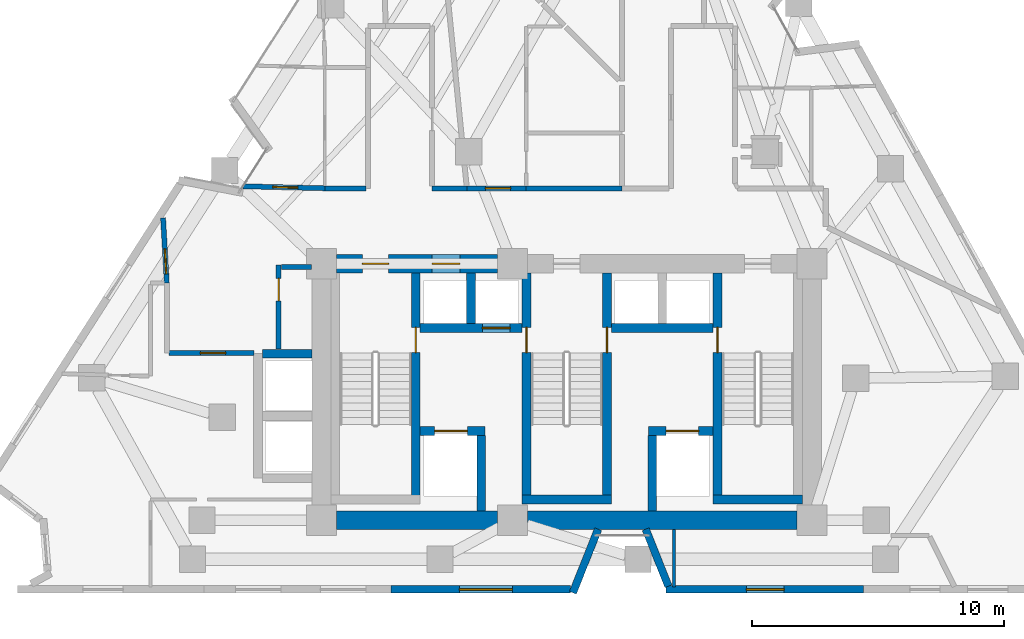
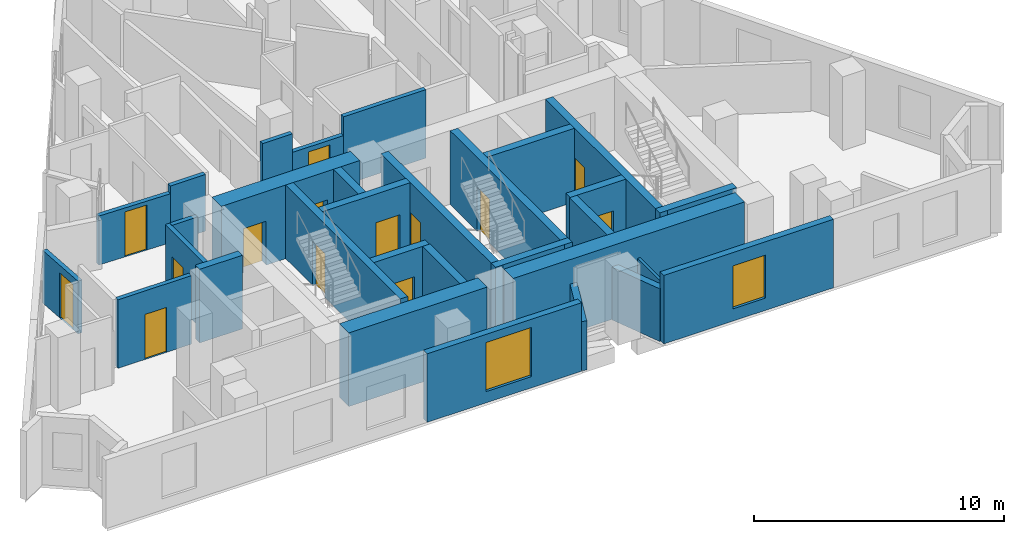
# One storey, part 6 of 11: 31 walls, 14 doors, 2 windows, 16 openings.
"""IFC4 building model written with IfcOpenShell, lengths in metres."""

from ifc_helpers import new_model, si_unit, direction, frame, frame_2d, origin, place, context, subcontext, project, spatial, rectangle, extrude, material, layer, layer_set, type_object, element, fill, save


model = new_model("IFC4")

# Units and contexts
model_context = context("Model", 3, precision=1e-05, world=origin(), true_north=direction((0.0, 1.0)))
body_context = subcontext(model_context, "Body", "Model", "MODEL_VIEW")
ifc_project = project(units=[si_unit("LENGTHUNIT", "METRE"), si_unit("AREAUNIT", "SQUARE_METRE"), si_unit("VOLUMEUNIT", "CUBIC_METRE"), si_unit("PLANEANGLEUNIT", "RADIAN"), si_unit("MASSUNIT", "GRAM", prefix="KILO")], contexts=[model_context])

# Site, building, storey
site_placement = place(None, origin())
site = spatial("IfcSite", under=ifc_project, at=site_placement, CompositionType="ELEMENT")
building_placement = place(site_placement, origin())
building = spatial("IfcBuilding", under=site, at=building_placement, Name="Almagre Mirador Tower", CompositionType="ELEMENT")
storey_placement = place(building_placement, frame((0.0, 0.0, 168.0)))
storey = spatial("IfcBuildingStorey", under=building, at=storey_placement, Name="L43", CompositionType="ELEMENT", Elevation=168.0)

# Wall, opening, window
ifc_material_1 = material(Name="Precast concrete C50/60", Category="concrete")
ifc_layer_1 = layer(ifc_material_1, 0.300048828125)
ifc_layer_set_1 = layer_set([ifc_layer_1], Name="Precast concrete C50/60")
wall_type_1 = type_object("IfcWallType", Name="WAL-EXT-300", PredefinedType="SOLIDWALL", material=ifc_layer_set_1)
wall_1_placement = place(storey_placement, frame((49.097900390625, 1.800048828125, 0.0), z_axis=(0.0, 0.0, 1.0), x_axis=(-1.0, 0.0, 0.0)))
wall_1 = element("IfcWall", 1, at=wall_1_placement, inside=storey, type_object=wall_type_1, Name="L43 expressed almagre precast frame wall 21", PredefinedType="SOLIDWALL", context=body_context, shape_type="SweptSolid", body=[
    extrude(rectangle(XDim=7.841796875, YDim=0.300048828125, at=frame_2d((3.9208984375, 0.0))), origin(), (0.0, 0.0, 1.0), 3.35009765625),
])
opening_1_placement = place(wall_1_placement, frame((3.14990234375, 0.0, 0.60009765625)))
opening_1 = element("IfcOpeningElement", 2, at=opening_1_placement, cuts=wall_1, Name="Opening WN-03", PredefinedType="OPENING", context=body_context, shape_type="SweptSolid", body=[
    extrude(rectangle(XDim=1.5, YDim=2.10009765625, at=frame_2d((0.75, 1.050048828125))), frame((0.0, 0.159902, 0.0), z_axis=(0.0, -1.0, 0.0), x_axis=(1.0, 0.0, 0.0)), (0.0, 0.0, 1.0), 0.320049),
])
ifc_material_2 = material(Name="Dark solar-control laminated hurricane glass", Category="glass")
window_type_1 = type_object("IfcWindowType", Name="WIN-1500X2100", PartitioningType="DOUBLE_PANEL_VERTICAL", PredefinedType="WINDOW", material=ifc_material_2)
window_1_placement = place(opening_1_placement, origin())
window_1 = element("IfcWindow", 3, at=window_1_placement, inside=storey, type_object=window_type_1, Name="L43 recessed hurricane window L43-UB-KT", OverallHeight=2.10009765625, OverallWidth=1.5, PartitioningType="SINGLE_PANEL", PredefinedType="WINDOW", context=body_context, shape_type="SweptSolid", body=[
    extrude(rectangle(XDim=1.5, YDim=2.10009765625, at=frame_2d((0.75, 1.050048828125))), frame((0.0, 0.030029296875, 0.0), z_axis=(0.0, -1.0, 0.0), x_axis=(1.0, 0.0, 0.0)), (0.0, 0.0, 1.0), 0.06005859375),
])
fill(opening_1, window_1)

# Walls
wall_2_placement = place(storey_placement, frame((41.34423828125, 1.93017578125, 0.0), z_axis=(0.0, 0.0, 1.0), x_axis=(-0.369562555971, 0.929205852986, 0.0)))
element("IfcWall", 4, at=wall_2_placement, inside=storey, type_object=wall_type_1, Name="L43 expressed almagre precast frame wall 22", PredefinedType="SOLIDWALL", context=body_context, shape_type="SweptSolid", body=[
    extrude(rectangle(XDim=2.441650390625, YDim=0.300048828125, at=frame_2d((1.220703125, 0.0))), origin(), (0.0, 0.0, 1.0), 2.574951171875),
])
wall_3_placement = place(storey_placement, frame((38.550048828125, 4.198974609375, 0.0), z_axis=(0.0, 0.0, 1.0), x_axis=(-0.36956502288, -0.929204871847, 0.0)))
element("IfcWall", 5, at=wall_3_placement, inside=storey, type_object=wall_type_1, Name="L43 expressed almagre precast frame wall 23", PredefinedType="SOLIDWALL", context=body_context, shape_type="SweptSolid", body=[
    extrude(rectangle(XDim=2.7216796875, YDim=0.300048828125, at=frame_2d((1.36083984375, 0.0))), origin(), (0.0, 0.0, 1.0), 2.39794921875),
])

# Wall, opening, window
wall_4_placement = place(storey_placement, frame((37.4609375, 1.800048828125, 0.0), z_axis=(0.0, 0.0, 1.0), x_axis=(-1.0, 0.0, 0.0)))
wall_4 = element("IfcWall", 6, at=wall_4_placement, inside=storey, type_object=wall_type_1, Name="L43 expressed almagre precast frame wall 24", PredefinedType="SOLIDWALL", context=body_context, shape_type="SweptSolid", body=[
    extrude(rectangle(XDim=7.150146484375, YDim=0.300048828125, at=frame_2d((3.5751953125, 0.0))), origin(), (0.0, 0.0, 1.0), 3.35009765625),
])
opening_2_placement = place(wall_4_placement, frame((2.324951171875, 0.0, 0.550048828125)))
opening_2 = element("IfcOpeningElement", 7, at=opening_2_placement, cuts=wall_4, Name="Opening WN-05", PredefinedType="OPENING", context=body_context, shape_type="SweptSolid", body=[
    extrude(rectangle(XDim=2.10009765625, YDim=2.39990234375, at=frame_2d((1.050048828125, 1.199951171875))), frame((0.0, 0.159902, 0.0), z_axis=(0.0, -1.0, 0.0), x_axis=(1.0, 0.0, 0.0)), (0.0, 0.0, 1.0), 0.320049),
])
ifc_material_3 = material(Name="Dark solar-control laminated hurricane glass", Category="glass")
window_type_2 = type_object("IfcWindowType", Name="WIN-2100X2400", PartitioningType="DOUBLE_PANEL_VERTICAL", PredefinedType="WINDOW", material=ifc_material_3)
window_2_placement = place(opening_2_placement, origin())
window_2 = element("IfcWindow", 8, at=window_2_placement, inside=storey, type_object=window_type_2, Name="L43 recessed hurricane window L43-UB-ST", OverallHeight=2.39990234375, OverallWidth=2.10009765625, PartitioningType="SINGLE_PANEL", PredefinedType="WINDOW", context=body_context, shape_type="SweptSolid", body=[
    extrude(rectangle(XDim=2.10009765625, YDim=2.39990234375, at=frame_2d((1.050048828125, 1.199951171875))), frame((0.0, 0.030029296875, 0.0), z_axis=(0.0, -1.0, 0.0), x_axis=(1.0, 0.0, 0.0)), (0.0, 0.0, 1.0), 0.06005859375),
])
fill(opening_2, window_2)

# Wall
ifc_material_4 = material(Name="Gypsum acoustic stud partition", Category="other")
ifc_layer_2 = layer(ifc_material_4, 0.125)
ifc_layer_set_2 = layer_set([ifc_layer_2], Name="Gypsum acoustic stud partition")
wall_type_2 = type_object("IfcWallType", Name="WAL-PRT-125-UTL", PredefinedType="PARTITIONING", material=ifc_layer_set_2)
wall_5_placement = place(storey_placement, frame((41.56005859375, 1.89990234375, 0.0), z_axis=(0.0, 0.0, 1.0), x_axis=(0.0, 1.0, 0.0)))
element("IfcWall", 9, at=wall_5_placement, inside=storey, type_object=wall_type_2, Name="L43 interior partition 032", PredefinedType="PARTITIONING", context=body_context, shape_type="SweptSolid", body=[
    extrude(rectangle(XDim=2.275146484375, YDim=0.125, at=frame_2d((1.1376953125, 0.0))), origin(), (0.0, 0.0, 1.0), 2.570068359375),
])

# Wall, opening, door
ifc_material_5 = material(Name="Gypsum acoustic stud partition", Category="other")
ifc_layer_3 = layer(ifc_material_5, 0.199951171875)
ifc_layer_set_3 = layer_set([ifc_layer_3], Name="Gypsum acoustic stud partition")
wall_type_3 = type_object("IfcWallType", Name="WAL-PRT-200-EI60", PredefinedType="PARTITIONING", material=ifc_layer_set_3)
wall_6_placement = place(storey_placement, frame((25.85009765625, 11.3701171875, 0.0), z_axis=(0.0, 0.0, 1.0), x_axis=(0.0, 1.0, 0.0)))
wall_6 = element("IfcWall", 10, at=wall_6_placement, inside=storey, type_object=wall_type_3, Name="L43 core ancillary west wall", PredefinedType="PARTITIONING", context=body_context, shape_type="SweptSolid", body=[
    extrude(rectangle(XDim=3.33984375, YDim=0.199951171875, at=frame_2d((1.669921875, 0.0))), origin(), (0.0, 0.0, 1.0), 3.35009765625),
])
opening_3_placement = place(wall_6_placement, frame((1.89990234375, 0.0, 0.0)))
opening_3 = element("IfcOpeningElement", 11, at=opening_3_placement, cuts=wall_6, Name="Opening ID-03", PredefinedType="OPENING", context=body_context, shape_type="SweptSolid", body=[
    extrude(rectangle(XDim=0.89990234375, YDim=2.10009765625, at=frame_2d((0.449951171875, 1.050048828125))), frame((0.0, 0.110098, 0.0), z_axis=(0.0, -1.0, 0.0), x_axis=(1.0, 0.0, 0.0)), (0.0, 0.0, 1.0), 0.219951),
])
ifc_material_6 = material(Name="Fire-rated hollow steel", Category="steel")
door_type_1 = type_object("IfcDoorType", Name="DOR-FD60-900X2100", OperationType="NOTDEFINED", PredefinedType="DOOR", material=ifc_material_6)
door_1_placement = place(opening_3_placement, origin())
door_1 = element("IfcDoor", 12, at=door_1_placement, inside=storey, type_object=door_type_1, Name="DR-1371 L43 core ancillary corridor door", OperationType="SINGLE_SWING_LEFT", OverallHeight=2.10009765625, OverallWidth=0.89990234375, PredefinedType="DOOR", context=body_context, shape_type="SweptSolid", body=[
    extrude(rectangle(XDim=0.89990234375, YDim=2.10009765625, at=frame_2d((0.449951171875, 1.050048828125))), frame((0.0, 0.02490234375, 0.0), z_axis=(0.0, -1.0, 0.0), x_axis=(1.0, 0.0, 0.0)), (0.0, 0.0, 1.0), 0.050048828125),
])
fill(opening_3, door_1)

# Wall
wall_7_placement = place(storey_placement, frame((25.955078125, 14.6201171875, 0.0), z_axis=(0.0, 0.0, 1.0), x_axis=(1.0, 0.0, 0.0)))
element("IfcWall", 13, at=wall_7_placement, inside=storey, type_object=wall_type_3, Name="L43 core ancillary north wall", PredefinedType="PARTITIONING", context=body_context, shape_type="SweptSolid", body=[
    extrude(rectangle(XDim=1.204833984375, YDim=0.199951171875, at=frame_2d((0.6025390625, 0.0))), origin(), (0.0, 0.0, 1.0), 3.35009765625),
])

# Wall, opening, door
wall_8_placement = place(storey_placement, frame((21.485107421875, 11.199951171875, 0.0), z_axis=(0.0, 0.0, 1.0), x_axis=(1.0, 0.0, 0.0)))
wall_8 = element("IfcWall", 14, at=wall_8_placement, inside=storey, type_object=wall_type_3, Name="L43 interior partition 002", PredefinedType="PARTITIONING", context=body_context, shape_type="SweptSolid", body=[
    extrude(rectangle(XDim=3.384033203125, YDim=0.199951171875, at=frame_2d((1.69189453125, 0.0))), origin(), (0.0, 0.0, 1.0), 3.35009765625),
])
opening_4_placement = place(wall_8_placement, frame((1.249755859375, 0.0, 0.0)))
opening_4 = element("IfcOpeningElement", 15, at=opening_4_placement, cuts=wall_8, Name="Opening ID-01", PredefinedType="OPENING", context=body_context, shape_type="SweptSolid", body=[
    extrude(rectangle(XDim=1.0, YDim=2.199951171875, at=frame_2d((0.5, 1.10009765625))), frame((0.0, 0.110098, 0.0), z_axis=(0.0, -1.0, 0.0), x_axis=(1.0, 0.0, 0.0)), (0.0, 0.0, 1.0), 0.219951),
])
ifc_material_7 = material(Name="Fire-rated walnut timber", Category="wood")
door_type_2 = type_object("IfcDoorType", Name="DOR-FD60-1000X2200", OperationType="NOTDEFINED", PredefinedType="DOOR", material=ifc_material_7)
door_2_placement = place(opening_4_placement, origin())
door_2 = element("IfcDoor", 16, at=door_2_placement, inside=storey, type_object=door_type_2, Name="DR-1377 L43 interior door L43-RCOR to L43-UA-ST", OperationType="SINGLE_SWING_LEFT", OverallHeight=2.199951171875, OverallWidth=1.0, PredefinedType="DOOR", context=body_context, shape_type="SweptSolid", body=[
    extrude(rectangle(XDim=1.0, YDim=2.199951171875, at=frame_2d((0.5, 1.10009765625))), frame((0.0, 0.02490234375, 0.0), z_axis=(0.0, -1.0, 0.0), x_axis=(1.0, 0.0, 0.0)), (0.0, 0.0, 1.0), 0.050048828125),
])
fill(opening_4, door_2)

wall_9_placement = place(storey_placement, frame((21.2529296875, 16.574951171875, 0.0), z_axis=(0.0, 0.0, 1.0), x_axis=(0.056765140798, -0.998387559413, 0.0)))
wall_9 = element("IfcWall", 17, at=wall_9_placement, inside=storey, type_object=wall_type_3, Name="L43 interior partition 003", PredefinedType="PARTITIONING", context=body_context, shape_type="SweptSolid", body=[
    extrude(rectangle(XDim=2.589111328125, YDim=0.199951171875, at=frame_2d((1.29443359375, 0.0))), origin(), (0.0, 0.0, 1.0), 2.570068359375),
])
opening_5_placement = place(wall_9_placement, frame((1.235107421875, 0.0, 0.0)))
opening_5 = element("IfcOpeningElement", 18, at=opening_5_placement, cuts=wall_9, Name="Opening ID-01", PredefinedType="OPENING", context=body_context, shape_type="SweptSolid", body=[
    extrude(rectangle(XDim=1.0, YDim=2.199951171875, at=frame_2d((0.5, 1.10009765625))), frame((0.0, 0.110098, 0.0), z_axis=(0.0, -1.0, 0.0), x_axis=(1.0, 0.0, 0.0)), (0.0, 0.0, 1.0), 0.219951),
])
door_3_placement = place(opening_5_placement, origin())
door_3 = element("IfcDoor", 19, at=door_3_placement, inside=storey, type_object=door_type_2, Name="DR-1396 L43 interior door L43-RCOR to L43-UA-HB", OperationType="SINGLE_SWING_RIGHT", OverallHeight=2.199951171875, OverallWidth=1.0, PredefinedType="DOOR", context=body_context, shape_type="SweptSolid", body=[
    extrude(rectangle(XDim=1.0, YDim=2.199951171875, at=frame_2d((0.5, 1.10009765625))), frame((0.0, 0.02490234375, 0.0), z_axis=(0.0, -1.0, 0.0), x_axis=(1.0, 0.0, 0.0)), (0.0, 0.0, 1.0), 0.050048828125),
])
fill(opening_5, door_3)

wall_10_placement = place(storey_placement, frame((27.68994140625, 17.75, 0.0), z_axis=(0.0, 0.0, 1.0), x_axis=(-0.999699347991, 0.024519657978, 0.0)))
wall_10 = element("IfcWall", 20, at=wall_10_placement, inside=storey, type_object=wall_type_3, Name="L43 interior partition 004", PredefinedType="PARTITIONING", context=body_context, shape_type="SweptSolid", body=[
    extrude(rectangle(XDim=3.265869140625, YDim=0.199951171875, at=frame_2d((1.6328125, 0.0))), origin(), (0.0, 0.0, 1.0), 2.39306640625),
])
opening_6_placement = place(wall_10_placement, frame((1.07470703125, 0.0, 0.0)))
opening_6 = element("IfcOpeningElement", 21, at=opening_6_placement, cuts=wall_10, Name="Opening ID-01", PredefinedType="OPENING", context=body_context, shape_type="SweptSolid", body=[
    extrude(rectangle(XDim=1.0, YDim=2.199951171875, at=frame_2d((0.5, 1.10009765625))), frame((0.0, 0.110098, 0.0), z_axis=(0.0, -1.0, 0.0), x_axis=(1.0, 0.0, 0.0)), (0.0, 0.0, 1.0), 0.219951),
])
door_4_placement = place(opening_6_placement, origin())
door_4 = element("IfcDoor", 22, at=door_4_placement, inside=storey, type_object=door_type_2, Name="DR-1380 L43 interior door L43-RCOR to L43-UD-LV", OperationType="SINGLE_SWING_LEFT", OverallHeight=2.199951171875, OverallWidth=1.0, PredefinedType="DOOR", context=body_context, shape_type="SweptSolid", body=[
    extrude(rectangle(XDim=1.0, YDim=2.199951171875, at=frame_2d((0.5, 1.10009765625))), frame((0.0, 0.02490234375, 0.0), z_axis=(0.0, -1.0, 0.0), x_axis=(1.0, 0.0, 0.0)), (0.0, 0.0, 1.0), 0.050048828125),
])
fill(opening_6, door_4)

# Walls
wall_11_placement = place(storey_placement, frame((29.31494140625, 17.75, 0.0), z_axis=(0.0, 0.0, 1.0), x_axis=(-1.0, 0.0, 0.0)))
element("IfcWall", 23, at=wall_11_placement, inside=storey, type_object=wall_type_3, Name="L43 interior partition 008", PredefinedType="PARTITIONING", context=body_context, shape_type="SweptSolid", body=[
    extrude(rectangle(XDim=1.625, YDim=0.199951171875, at=frame_2d((0.8125, 0.0))), origin(), (0.0, 0.0, 1.0), 2.77099609375),
])
wall_12_placement = place(storey_placement, frame((33.330078125, 17.75, 0.0), z_axis=(0.0, 0.0, 1.0), x_axis=(-1.0, 0.0, 0.0)))
element("IfcWall", 24, at=wall_12_placement, inside=storey, type_object=wall_type_3, Name="L43 interior partition 009", PredefinedType="PARTITIONING", context=body_context, shape_type="SweptSolid", body=[
    extrude(rectangle(XDim=1.380126953125, YDim=0.199951171875, at=frame_2d((0.68994140625, 0.0))), origin(), (0.0, 0.0, 1.0), 3.35009765625),
])

# Wall, opening, door
wall_13_placement = place(storey_placement, frame((35.68994140625, 17.75, 0.0), z_axis=(0.0, 0.0, 1.0), x_axis=(-1.0, 0.0, 0.0)))
wall_13 = element("IfcWall", 25, at=wall_13_placement, inside=storey, type_object=wall_type_3, Name="L43 interior partition 012", PredefinedType="PARTITIONING", context=body_context, shape_type="SweptSolid", body=[
    extrude(rectangle(XDim=2.35986328125, YDim=0.199951171875, at=frame_2d((1.179931640625, 0.0))), origin(), (0.0, 0.0, 1.0), 2.43603515625),
])
opening_7_placement = place(wall_13_placement, frame((0.6201171875, 0.0, 0.0)))
opening_7 = element("IfcOpeningElement", 26, at=opening_7_placement, cuts=wall_13, Name="Opening ID-01", PredefinedType="OPENING", context=body_context, shape_type="SweptSolid", body=[
    extrude(rectangle(XDim=1.0, YDim=2.199951171875, at=frame_2d((0.5, 1.10009765625))), frame((0.0, 0.110098, 0.0), z_axis=(0.0, -1.0, 0.0), x_axis=(1.0, 0.0, 0.0)), (0.0, 0.0, 1.0), 0.219951),
])
door_5_placement = place(opening_7_placement, origin())
door_5 = element("IfcDoor", 27, at=door_5_placement, inside=storey, type_object=door_type_2, Name="DR-1384 L43 interior door L43-RCOR to L43-UF-ST", OperationType="SINGLE_SWING_LEFT", OverallHeight=2.199951171875, OverallWidth=1.0, PredefinedType="DOOR", context=body_context, shape_type="SweptSolid", body=[
    extrude(rectangle(XDim=1.0, YDim=2.199951171875, at=frame_2d((0.5, 1.10009765625))), frame((0.0, 0.02490234375, 0.0), z_axis=(0.0, -1.0, 0.0), x_axis=(1.0, 0.0, 0.0)), (0.0, 0.0, 1.0), 0.050048828125),
])
fill(opening_7, door_5)

# Wall
wall_14_placement = place(storey_placement, frame((39.5, 17.75, 0.0), z_axis=(0.0, 0.0, 1.0), x_axis=(-1.0, 0.0, 0.0)))
element("IfcWall", 28, at=wall_14_placement, inside=storey, type_object=wall_type_3, Name="L43 interior partition 013", PredefinedType="PARTITIONING", context=body_context, shape_type="SweptSolid", body=[
    extrude(rectangle(XDim=3.81005859375, YDim=0.199951171875, at=frame_2d((1.905029296875, 0.0))), origin(), (0.0, 0.0, 1.0), 3.35009765625),
])

# Wall, opening, door
ifc_material_8 = material(Name="Concrete C60/75", Category="concrete")
ifc_layer_4 = layer(ifc_material_8, 0.35009765625)
ifc_layer_set_4 = layer_set([ifc_layer_4], Name="Concrete C60/75")
wall_type_4 = type_object("IfcWallType", Name="WAL-SHF-350", PredefinedType="SOLIDWALL", material=ifc_layer_set_4)
wall_15_placement = place(storey_placement, frame((31.300048828125, 5.199951171875, 0.0), z_axis=(0.0, 0.0, 1.0), x_axis=(0.0, 1.0, 0.0)))
wall_15 = element("IfcWall", 29, at=wall_15_placement, inside=storey, type_object=wall_type_4, Name="L43 shaft wall ST1-E", PredefinedType="SOLIDWALL", context=body_context, shape_type="SweptSolid", body=[
    extrude(rectangle(XDim=9.175048828125, YDim=0.35009765625, at=frame_2d((4.58740234375, 0.0))), origin(), (0.0, 0.0, 1.0), 3.60009765625),
])
opening_8_placement = place(wall_15_placement, frame((6.02001953125, 0.0, 0.0)))
opening_8 = element("IfcOpeningElement", 30, at=opening_8_placement, cuts=wall_15, Name="Opening FD-01", PredefinedType="OPENING", context=body_context, shape_type="SweptSolid", body=[
    extrude(rectangle(XDim=1.0, YDim=2.14990234375, at=frame_2d((0.5, 1.074951171875))), frame((0.0, 0.185049, 0.0), z_axis=(0.0, -1.0, 0.0), x_axis=(1.0, 0.0, 0.0)), (0.0, 0.0, 1.0), 0.370098),
])
ifc_material_9 = material(Name="Fire-rated hollow steel", Category="steel")
door_type_3 = type_object("IfcDoorType", Name="DOR-FFL-1000X2150", OperationType="NOTDEFINED", PredefinedType="DOOR", material=ifc_material_9)
door_6_placement = place(opening_8_placement, origin())
door_6 = element("IfcDoor", 31, at=door_6_placement, inside=storey, type_object=door_type_3, Name="DR-1372 L43 FFL1-ST1 smokeproof door", OperationType="SINGLE_SWING_LEFT", OverallHeight=2.14990234375, OverallWidth=1.0, PredefinedType="DOOR", context=body_context, shape_type="SweptSolid", body=[
    extrude(rectangle(XDim=1.0, YDim=2.14990234375, at=frame_2d((0.5, 1.074951171875))), frame((0.0, 0.02490234375, 0.0), z_axis=(0.0, -1.0, 0.0), x_axis=(1.0, 0.0, 0.0)), (0.0, 0.0, 1.0), 0.050048828125),
])
fill(opening_8, door_6)

wall_16_placement = place(storey_placement, frame((35.699951171875, 5.199951171875, 0.0), z_axis=(0.0, 0.0, 1.0), x_axis=(0.0, 1.0, 0.0)))
wall_16 = element("IfcWall", 32, at=wall_16_placement, inside=storey, type_object=wall_type_4, Name="L43 shaft wall ST2-W", PredefinedType="SOLIDWALL", context=body_context, shape_type="SweptSolid", body=[
    extrude(rectangle(XDim=9.175048828125, YDim=0.35009765625, at=frame_2d((4.58740234375, 0.0))), origin(), (0.0, 0.0, 1.0), 3.60009765625),
])
opening_9_placement = place(wall_16_placement, frame((6.02001953125, 0.0, 0.0)))
opening_9 = element("IfcOpeningElement", 33, at=opening_9_placement, cuts=wall_16, Name="Opening FD-01", PredefinedType="OPENING", context=body_context, shape_type="SweptSolid", body=[
    extrude(rectangle(XDim=1.0, YDim=2.14990234375, at=frame_2d((0.5, 1.074951171875))), frame((0.0, 0.185049, 0.0), z_axis=(0.0, -1.0, 0.0), x_axis=(1.0, 0.0, 0.0)), (0.0, 0.0, 1.0), 0.370098),
])
door_7_placement = place(opening_9_placement, origin())
door_7 = element("IfcDoor", 34, at=door_7_placement, inside=storey, type_object=door_type_3, Name="DR-1373 L43 FFL1-ST2 smokeproof door", OperationType="SINGLE_SWING_RIGHT", OverallHeight=2.14990234375, OverallWidth=1.0, PredefinedType="DOOR", context=body_context, shape_type="SweptSolid", body=[
    extrude(rectangle(XDim=1.0, YDim=2.14990234375, at=frame_2d((0.5, 1.074951171875))), frame((0.0, 0.02490234375, 0.0), z_axis=(0.0, -1.0, 0.0), x_axis=(1.0, 0.0, 0.0)), (0.0, 0.0, 1.0), 0.050048828125),
])
fill(opening_9, door_7)

wall_17_placement = place(storey_placement, frame((38.89990234375, 5.199951171875, 0.0), z_axis=(0.0, 0.0, 1.0), x_axis=(0.0, 1.0, 0.0)))
wall_17 = element("IfcWall", 35, at=wall_17_placement, inside=storey, type_object=wall_type_4, Name="L43 shaft wall ST2-E", PredefinedType="SOLIDWALL", context=body_context, shape_type="SweptSolid", body=[
    extrude(rectangle(XDim=9.175048828125, YDim=0.35009765625, at=frame_2d((4.58740234375, 0.0))), origin(), (0.0, 0.0, 1.0), 3.60009765625),
])
opening_10_placement = place(wall_17_placement, frame((6.02001953125, 0.0, 0.0)))
opening_10 = element("IfcOpeningElement", 36, at=opening_10_placement, cuts=wall_17, Name="Opening FD-01", PredefinedType="OPENING", context=body_context, shape_type="SweptSolid", body=[
    extrude(rectangle(XDim=1.0, YDim=2.14990234375, at=frame_2d((0.5, 1.074951171875))), frame((0.0, 0.185049, 0.0), z_axis=(0.0, -1.0, 0.0), x_axis=(1.0, 0.0, 0.0)), (0.0, 0.0, 1.0), 0.370098),
])
door_8_placement = place(opening_10_placement, origin())
door_8 = element("IfcDoor", 37, at=door_8_placement, inside=storey, type_object=door_type_3, Name="DR-1374 L43 FFL2-ST2 smokeproof door", OperationType="SINGLE_SWING_LEFT", OverallHeight=2.14990234375, OverallWidth=1.0, PredefinedType="DOOR", context=body_context, shape_type="SweptSolid", body=[
    extrude(rectangle(XDim=1.0, YDim=2.14990234375, at=frame_2d((0.5, 1.074951171875))), frame((0.0, 0.02490234375, 0.0), z_axis=(0.0, -1.0, 0.0), x_axis=(1.0, 0.0, 0.0)), (0.0, 0.0, 1.0), 0.050048828125),
])
fill(opening_10, door_8)

# Wall
wall_18_placement = place(storey_placement, frame((35.52490234375, 5.375, 0.0), z_axis=(0.0, 0.0, 1.0), x_axis=(1.0, 0.0, 0.0)))
element("IfcWall", 38, at=wall_18_placement, inside=storey, type_object=wall_type_4, Name="L43 shaft wall ST2-S", PredefinedType="SOLIDWALL", context=body_context, shape_type="SweptSolid", body=[
    extrude(rectangle(XDim=3.550048828125, YDim=0.35009765625, at=frame_2d((1.77490234375, 0.0))), origin(), (0.0, 0.0, 1.0), 3.60009765625),
])

# Wall, opening, door
wall_19_placement = place(storey_placement, frame((43.300048828125, 5.199951171875, 0.0), z_axis=(0.0, 0.0, 1.0), x_axis=(0.0, 1.0, 0.0)))
wall_19 = element("IfcWall", 39, at=wall_19_placement, inside=storey, type_object=wall_type_4, Name="L43 shaft wall ST3-W", PredefinedType="SOLIDWALL", context=body_context, shape_type="SweptSolid", body=[
    extrude(rectangle(XDim=9.175048828125, YDim=0.35009765625, at=frame_2d((4.58740234375, 0.0))), origin(), (0.0, 0.0, 1.0), 3.60009765625),
])
opening_11_placement = place(wall_19_placement, frame((6.02001953125, 0.0, 0.0)))
opening_11 = element("IfcOpeningElement", 40, at=opening_11_placement, cuts=wall_19, Name="Opening FD-01", PredefinedType="OPENING", context=body_context, shape_type="SweptSolid", body=[
    extrude(rectangle(XDim=1.0, YDim=2.14990234375, at=frame_2d((0.5, 1.074951171875))), frame((0.0, 0.185049, 0.0), z_axis=(0.0, -1.0, 0.0), x_axis=(1.0, 0.0, 0.0)), (0.0, 0.0, 1.0), 0.370098),
])
door_9_placement = place(opening_11_placement, origin())
door_9 = element("IfcDoor", 41, at=door_9_placement, inside=storey, type_object=door_type_3, Name="DR-1375 L43 FFL2-ST3 smokeproof door", OperationType="SINGLE_SWING_RIGHT", OverallHeight=2.14990234375, OverallWidth=1.0, PredefinedType="DOOR", context=body_context, shape_type="SweptSolid", body=[
    extrude(rectangle(XDim=1.0, YDim=2.14990234375, at=frame_2d((0.5, 1.074951171875))), frame((0.0, 0.02490234375, 0.0), z_axis=(0.0, -1.0, 0.0), x_axis=(1.0, 0.0, 0.0)), (0.0, 0.0, 1.0), 0.050048828125),
])
fill(opening_11, door_9)

# Wall
wall_20_placement = place(storey_placement, frame((43.125, 5.375, 0.0), z_axis=(0.0, 0.0, 1.0), x_axis=(1.0, 0.0, 0.0)))
element("IfcWall", 42, at=wall_20_placement, inside=storey, type_object=wall_type_4, Name="L43 shaft wall ST3-S", PredefinedType="SOLIDWALL", context=body_context, shape_type="SweptSolid", body=[
    extrude(rectangle(XDim=3.550048828125, YDim=0.35009765625, at=frame_2d((1.77490234375, 0.0))), origin(), (0.0, 0.0, 1.0), 3.60009765625),
])

# Wall, opening, door
wall_21_placement = place(storey_placement, frame((31.47509765625, 8.10009765625, 0.0), z_axis=(0.0, 0.0, 1.0), x_axis=(1.0, 0.0, 0.0)))
wall_21 = element("IfcWall", 43, at=wall_21_placement, inside=storey, type_object=wall_type_4, Name="L43 shaft wall FSAE1-N", PredefinedType="SOLIDWALL", context=body_context, shape_type="SweptSolid", body=[
    extrude(rectangle(XDim=2.574951171875, YDim=0.35009765625, at=frame_2d((1.28759765625, 0.0))), origin(), (0.0, 0.0, 1.0), 3.60009765625),
])
opening_12_placement = place(wall_21_placement, frame((0.574951171875, 0.0, 0.0)))
opening_12 = element("IfcOpeningElement", 44, at=opening_12_placement, cuts=wall_21, Name="Opening LD-03", PredefinedType="OPENING", context=body_context, shape_type="SweptSolid", body=[
    extrude(rectangle(XDim=1.300048828125, YDim=2.25, at=frame_2d((0.64990234375, 1.125))), frame((0.0, 0.185049, 0.0), z_axis=(0.0, -1.0, 0.0), x_axis=(1.0, 0.0, 0.0)), (0.0, 0.0, 1.0), 0.370098),
])
ifc_material_10 = material(Name="Hollow stainless steel", Category="steel")
door_type_4 = type_object("IfcDoorType", Name="DOR-LD-1300X2250", OperationType="DOUBLE_DOOR_SLIDING", PredefinedType="DOOR", material=ifc_material_10)
door_10_placement = place(opening_12_placement, origin())
door_10 = element("IfcDoor", 45, at=door_10_placement, inside=storey, type_object=door_type_4, Name="DR-1397 L43 FSAE-1 lift landing door", OperationType="DOUBLE_DOOR_SLIDING", OverallHeight=2.25, OverallWidth=1.300048828125, PredefinedType="DOOR", context=body_context, shape_type="SweptSolid", body=[
    extrude(rectangle(XDim=1.300048828125, YDim=2.25, at=frame_2d((0.64990234375, 1.125))), frame((0.0, 0.02490234375, 0.0), z_axis=(0.0, -1.0, 0.0), x_axis=(1.0, 0.0, 0.0)), (0.0, 0.0, 1.0), 0.050048828125),
])
fill(opening_12, door_10)

wall_22_placement = place(storey_placement, frame((40.550048828125, 8.10009765625, 0.0), z_axis=(0.0, 0.0, 1.0), x_axis=(1.0, 0.0, 0.0)))
wall_22 = element("IfcWall", 46, at=wall_22_placement, inside=storey, type_object=wall_type_4, Name="L43 shaft wall FSAE2-N", PredefinedType="SOLIDWALL", context=body_context, shape_type="SweptSolid", body=[
    extrude(rectangle(XDim=2.574951171875, YDim=0.35009765625, at=frame_2d((1.28759765625, 0.0))), origin(), (0.0, 0.0, 1.0), 3.60009765625),
])
opening_13_placement = place(wall_22_placement, frame((0.699951171875, 0.0, 0.0)))
opening_13 = element("IfcOpeningElement", 47, at=opening_13_placement, cuts=wall_22, Name="Opening LD-03", PredefinedType="OPENING", context=body_context, shape_type="SweptSolid", body=[
    extrude(rectangle(XDim=1.300048828125, YDim=2.25, at=frame_2d((0.64990234375, 1.125))), frame((0.0, 0.185049, 0.0), z_axis=(0.0, -1.0, 0.0), x_axis=(1.0, 0.0, 0.0)), (0.0, 0.0, 1.0), 0.370098),
])
door_11_placement = place(opening_13_placement, origin())
door_11 = element("IfcDoor", 48, at=door_11_placement, inside=storey, type_object=door_type_4, Name="DR-1398 L43 FSAE-2 lift landing door", OperationType="DOUBLE_DOOR_SLIDING", OverallHeight=2.25, OverallWidth=1.300048828125, PredefinedType="DOOR", context=body_context, shape_type="SweptSolid", body=[
    extrude(rectangle(XDim=1.300048828125, YDim=2.25, at=frame_2d((0.64990234375, 1.125))), frame((0.0, 0.02490234375, 0.0), z_axis=(0.0, -1.0, 0.0), x_axis=(1.0, 0.0, 0.0)), (0.0, 0.0, 1.0), 0.050048828125),
])
fill(opening_13, door_11)

# Walls
for number, where, z_axis, x_axis, name in (
    (49, (33.89990234375, 4.925048828125, 0.0), (0.0, 0.0, 1.0), (0.0, 1.0, 0.0), "L43 shaft wall FSAE1-E"),
    (50, (40.699951171875, 4.925048828125, 0.0), (0.0, 0.0, 1.0), (0.0, 1.0, 0.0), "L43 shaft wall FSAE2-W"),
):
    element("IfcWall", number, at=place(storey_placement, frame(where, z_axis=z_axis, x_axis=x_axis)), inside=storey, type_object=wall_type_4, Name=name, PredefinedType="SOLIDWALL", context=body_context, shape_type="SweptSolid", body=[
        extrude(rectangle(XDim=3.0, YDim=0.35009765625, at=frame_2d((1.5, 0.0))), origin(), (0.0, 0.0, 1.0), 3.60009765625),
    ])

# Wall, opening, door
wall_23_placement = place(storey_placement, frame((31.47509765625, 12.199951171875, 0.0), z_axis=(0.0, 0.0, 1.0), x_axis=(1.0, 0.0, 0.0)))
wall_23 = element("IfcWall", 51, at=wall_23_placement, inside=storey, type_object=wall_type_4, Name="L43 shaft wall PLM-S", PredefinedType="SOLIDWALL", context=body_context, shape_type="SweptSolid", body=[
    extrude(rectangle(XDim=4.0498046875, YDim=0.35009765625, at=frame_2d((2.02490234375, 0.0))), origin(), (0.0, 0.0, 1.0), 3.60009765625),
])
opening_14_placement = place(wall_23_placement, frame((2.47509765625, 0.0, 0.0)))
opening_14 = element("IfcOpeningElement", 52, at=opening_14_placement, cuts=wall_23, Name="Opening LD-01", PredefinedType="OPENING", context=body_context, shape_type="SweptSolid", body=[
    extrude(rectangle(XDim=1.10009765625, YDim=2.199951171875, at=frame_2d((0.550048828125, 1.10009765625))), frame((0.0, 0.185049, 0.0), z_axis=(0.0, -1.0, 0.0), x_axis=(1.0, 0.0, 0.0)), (0.0, 0.0, 1.0), 0.370098),
])
ifc_material_11 = material(Name="Hollow stainless steel", Category="steel")
door_type_5 = type_object("IfcDoorType", Name="DOR-LD-1100X2200", OperationType="DOUBLE_DOOR_SLIDING", PredefinedType="DOOR", material=ifc_material_11)
door_12_placement = place(opening_14_placement, origin())
door_12 = element("IfcDoor", 53, at=door_12_placement, inside=storey, type_object=door_type_5, Name="DR-1400 L43 PL-M2 lift landing door", OperationType="DOUBLE_DOOR_SLIDING", OverallHeight=2.199951171875, OverallWidth=1.10009765625, PredefinedType="DOOR", context=body_context, shape_type="SweptSolid", body=[
    extrude(rectangle(XDim=1.10009765625, YDim=2.199951171875, at=frame_2d((0.550048828125, 1.10009765625))), frame((0.0, 0.02490234375, 0.0), z_axis=(0.0, -1.0, 0.0), x_axis=(1.0, 0.0, 0.0)), (0.0, 0.0, 1.0), 0.050048828125),
])
fill(opening_14, door_12)

# Walls
wall_24_placement = place(storey_placement, frame((33.5, 12.375, 0.0), z_axis=(0.0, 0.0, 1.0), x_axis=(0.0, 1.0, 0.0)))
element("IfcWall", 54, at=wall_24_placement, inside=storey, type_object=wall_type_4, Name="L43 shaft wall PLM-M", PredefinedType="SOLIDWALL", context=body_context, shape_type="SweptSolid", body=[
    extrude(rectangle(XDim=2.0, YDim=0.35009765625, at=frame_2d((1.0, 0.0))), origin(), (0.0, 0.0, 1.0), 3.60009765625),
])
wall_25_placement = place(storey_placement, frame((39.074951171875, 12.199951171875, 0.0), z_axis=(0.0, 0.0, 1.0), x_axis=(1.0, 0.0, 0.0)))
element("IfcWall", 55, at=wall_25_placement, inside=storey, type_object=wall_type_4, Name="L43 shaft wall PLH-S", PredefinedType="SOLIDWALL", context=body_context, shape_type="SweptSolid", body=[
    extrude(rectangle(XDim=4.050048828125, YDim=0.35009765625, at=frame_2d((2.02490234375, 0.0))), origin(), (0.0, 0.0, 1.0), 3.60009765625),
])
wall_26_placement = place(storey_placement, frame((25.199951171875, 11.175048828125, 0.0), z_axis=(0.0, 0.0, 1.0), x_axis=(1.0, 0.0, 0.0)))
element("IfcWall", 56, at=wall_26_placement, inside=storey, type_object=wall_type_4, Name="L43 shaft wall OL-N", PredefinedType="SOLIDWALL", context=body_context, shape_type="SweptSolid", body=[
    extrude(rectangle(XDim=1.97509765625, YDim=0.35009765625, at=frame_2d((0.987548828125, 0.0))), origin(), (0.0, 0.0, 1.0), 3.60009765625),
])
ifc_material_12 = material(Name="Concrete C60/75", Category="concrete")
ifc_layer_5 = layer(ifc_material_12, 0.75)
ifc_layer_set_5 = layer_set([ifc_layer_5], Name="Concrete C60/75")
wall_type_5 = type_object("IfcWallType", Name="WAL-SHR-750", PredefinedType="SHEAR", material=ifc_layer_set_5)
wall_27_placement = place(storey_placement, frame((28.14990234375, 4.550048828125, 0.0), z_axis=(0.0, 0.0, 1.0), x_axis=(1.0, 0.0, 0.0)))
element("IfcWall", 57, at=wall_27_placement, inside=storey, type_object=wall_type_5, Name="L43 core shear wall S1", PredefinedType="SHEAR", context=body_context, shape_type="SweptSolid", body=[
    extrude(rectangle(XDim=6.400146484375, YDim=0.75, at=frame_2d((3.2001953125, 0.0))), origin(), (0.0, 0.0, 1.0), 3.60009765625),
])
wall_28_placement = place(storey_placement, frame((35.75, 4.550048828125, 0.0), z_axis=(0.0, 0.0, 1.0), x_axis=(1.0, 0.0, 0.0)))
element("IfcWall", 58, at=wall_28_placement, inside=storey, type_object=wall_type_5, Name="L43 core shear wall S2", PredefinedType="SHEAR", context=body_context, shape_type="SweptSolid", body=[
    extrude(rectangle(XDim=10.699951171875, YDim=0.75, at=frame_2d((5.35009765625, 0.0))), origin(), (0.0, 0.0, 1.0), 3.60009765625),
])

# Wall, openings, doors
wall_29_placement = place(storey_placement, frame((28.14990234375, 14.75, 0.0), z_axis=(0.0, 0.0, 1.0), x_axis=(1.0, 0.0, 0.0)))
wall_29 = element("IfcWall", 59, at=wall_29_placement, inside=storey, type_object=wall_type_5, Name="L43 core shear wall N1", PredefinedType="SHEAR", context=body_context, shape_type="SweptSolid", body=[
    extrude(rectangle(XDim=6.400146484375, YDim=0.75, at=frame_2d((3.2001953125, 0.0))), origin(), (0.0, 0.0, 1.0), 3.60009765625),
])
opening_15_placement = place(wall_29_placement, frame((1.02490234375, 0.0, 0.0)))
opening_15 = element("IfcOpeningElement", 60, at=opening_15_placement, cuts=wall_29, Name="Opening SD-01", PredefinedType="OPENING", context=body_context, shape_type="SweptSolid", body=[
    extrude(rectangle(XDim=1.050048828125, YDim=2.14990234375, at=frame_2d((0.52490234375, 1.074951171875))), frame((0.0, 0.385, 0.0), z_axis=(0.0, -1.0, 0.0), x_axis=(1.0, 0.0, 0.0)), (0.0, 0.0, 1.0), 0.77),
])
opening_16_placement = place(wall_29_placement, frame((3.800048828125, 0.0, 0.0)))
opening_16 = element("IfcOpeningElement", 61, at=opening_16_placement, cuts=wall_29, Name="Opening LD-01", PredefinedType="OPENING", context=body_context, shape_type="SweptSolid", body=[
    extrude(rectangle(XDim=1.10009765625, YDim=2.199951171875, at=frame_2d((0.550048828125, 1.10009765625))), frame((0.0, 0.385, 0.0), z_axis=(0.0, -1.0, 0.0), x_axis=(1.0, 0.0, 0.0)), (0.0, 0.0, 1.0), 0.77),
])
door_13_placement = place(opening_16_placement, origin())
door_13 = element("IfcDoor", 62, at=door_13_placement, inside=storey, type_object=door_type_5, Name="DR-1399 L43 PL-M1 lift landing door", OperationType="DOUBLE_DOOR_SLIDING", OverallHeight=2.199951171875, OverallWidth=1.10009765625, PredefinedType="DOOR", context=body_context, shape_type="SweptSolid", body=[
    extrude(rectangle(XDim=1.10009765625, YDim=2.199951171875, at=frame_2d((0.550048828125, 1.10009765625))), frame((0.0, 0.02490234375, 0.0), z_axis=(0.0, -1.0, 0.0), x_axis=(1.0, 0.0, 0.0)), (0.0, 0.0, 1.0), 0.050048828125),
])
fill(opening_16, door_13)
ifc_material_13 = material(Name="Fire-rated hollow steel", Category="steel")
door_type_6 = type_object("IfcDoorType", Name="DOR-ST-1050X2150", OperationType="NOTDEFINED", PredefinedType="DOOR", material=ifc_material_13)
door_14_placement = place(opening_15_placement, origin())
door_14 = element("IfcDoor", 63, at=door_14_placement, inside=storey, type_object=door_type_6, Name="DR-1401 L43 protected exit stair ST-1 door", OperationType="SINGLE_SWING_RIGHT", OverallHeight=2.14990234375, OverallWidth=1.050048828125, PredefinedType="DOOR", context=body_context, shape_type="SweptSolid", body=[
    extrude(rectangle(XDim=1.050048828125, YDim=2.14990234375, at=frame_2d((0.52490234375, 1.074951171875))), frame((0.0, 0.02490234375, 0.0), z_axis=(0.0, -1.0, 0.0), x_axis=(1.0, 0.0, 0.0)), (0.0, 0.0, 1.0), 0.050048828125),
])
fill(opening_15, door_14)

save(model, "model.ifc")
